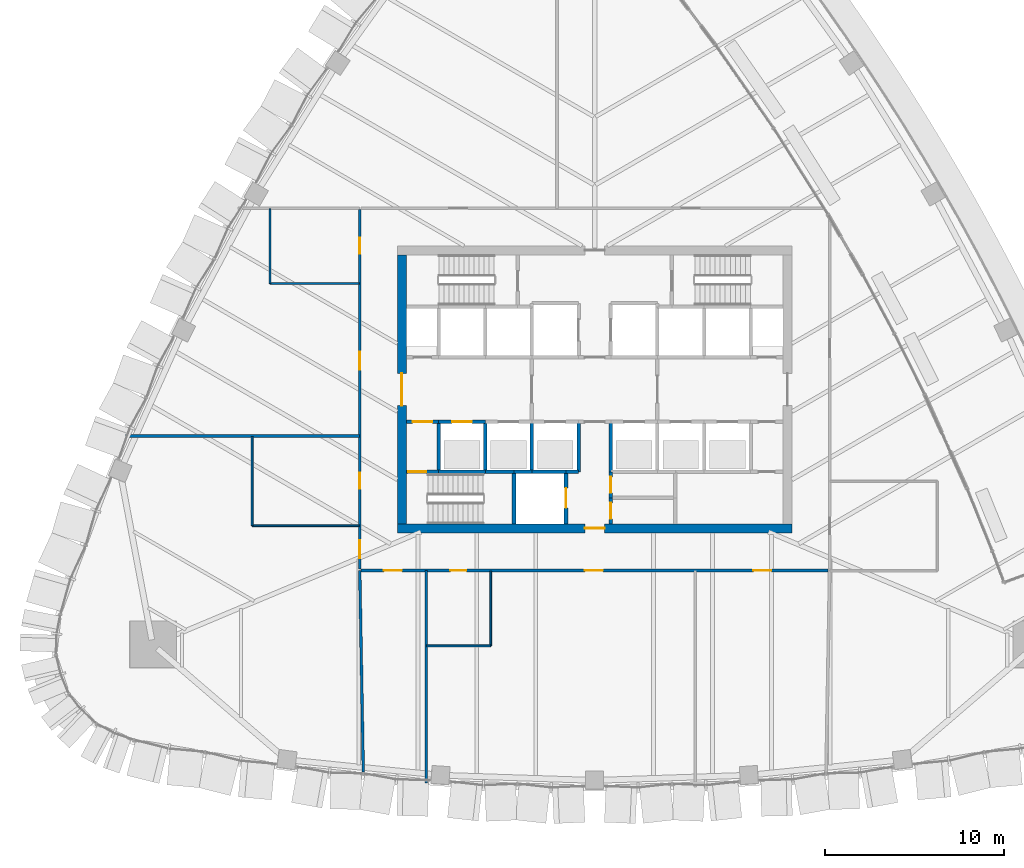
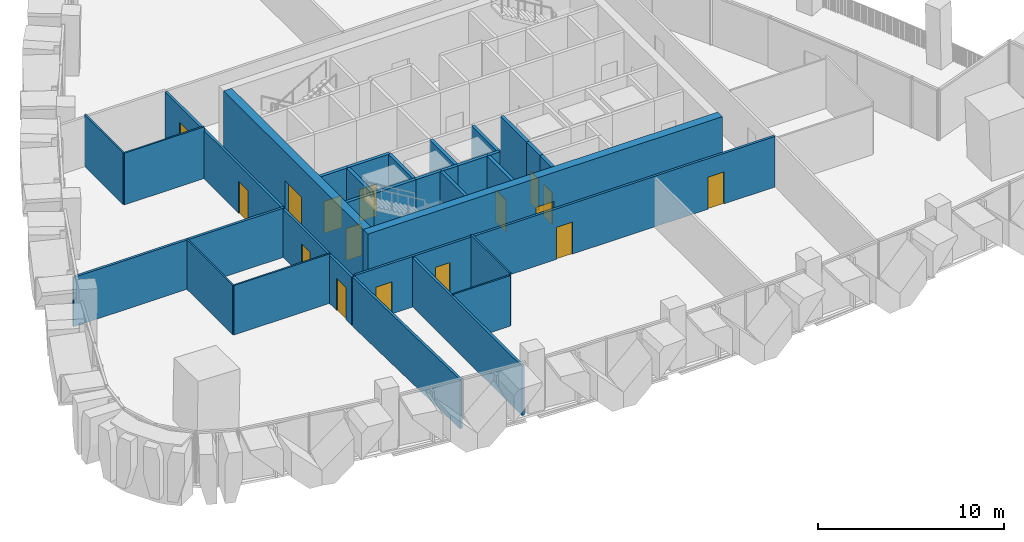
# One storey, part 14 of 22: 30 walls, 16 doors, 16 openings.
"""IFC4 building model written with IfcOpenShell, lengths in metres."""

from ifc_helpers import new_model, si_unit, direction, frame, frame_2d, origin, place, context, subcontext, project, spatial, rectangle, extrude, material, layer, layer_set, type_object, element, fill, save


model = new_model("IFC4")

# Units and contexts
model_context = context("Model", 3, precision=1e-05, world=origin(), true_north=direction((0.0, 1.0)))
body_context = subcontext(model_context, "Body", "Model", "MODEL_VIEW")
ifc_project = project(units=[si_unit("LENGTHUNIT", "METRE"), si_unit("AREAUNIT", "SQUARE_METRE"), si_unit("VOLUMEUNIT", "CUBIC_METRE"), si_unit("PLANEANGLEUNIT", "RADIAN"), si_unit("MASSUNIT", "GRAM", prefix="KILO")], contexts=[model_context])

# Site, building, storey
site_placement = place(None, origin())
site = spatial("IfcSite", under=ifc_project, at=site_placement, CompositionType="ELEMENT")
building_placement = place(site_placement, origin())
building = spatial("IfcBuilding", under=site, at=building_placement, Name="Sierra Prisma Convention Tower", CompositionType="ELEMENT")
storey_placement = place(building_placement, frame((0.0, 0.0, 141.800048828125)))
storey = spatial("IfcBuildingStorey", under=building, at=storey_placement, Name="L30", CompositionType="ELEMENT", Elevation=141.800048828125)

# Walls
ifc_material_1 = material(Name="Gypsum board partition", Category="gypsum")
ifc_layer_1 = layer(ifc_material_1, 0.10009765625)
ifc_layer_set_1 = layer_set([ifc_layer_1], Name="Bathroom partition 100")
wall_type_1 = type_object("IfcWallType", Name="Bathroom partition 100", PredefinedType="PARTITIONING", material=ifc_layer_set_1)
wall_1_placement = place(storey_placement, frame((-13.1298828125, -7.60009765625, 0.0), z_axis=(0.0, 0.0, 1.0), x_axis=(-1.0, 0.0, 0.0)))
element("IfcWall", 1, at=wall_1_placement, inside=storey, type_object=wall_type_1, Name="Partition L30 bath 1", PredefinedType="PARTITIONING", context=body_context, shape_type="SweptSolid", body=[
    extrude(rectangle(XDim=5.97021484375, YDim=0.10009765625, at=frame_2d((2.985107421875, 0.0))), origin(), (0.0, 0.0, 1.0), 3.2470703125),
])
wall_2_placement = place(storey_placement, frame((-19.10009765625, -7.60009765625, 0.0), z_axis=(0.0, 0.0, 1.0), x_axis=(0.0, 1.0, 0.0)))
element("IfcWall", 2, at=wall_2_placement, inside=storey, type_object=wall_type_1, Name="Partition L30 bath 2", PredefinedType="PARTITIONING", context=body_context, shape_type="SweptSolid", body=[
    extrude(rectangle(XDim=4.97021484375, YDim=0.10009765625, at=frame_2d((2.485107421875, 0.0))), origin(), (0.0, 0.0, 1.0), 3.2470703125),
])
wall_3_placement = place(storey_placement, frame((-13.1298828125, 5.89990234375, 0.0), z_axis=(0.0, 0.0, 1.0), x_axis=(-1.0, 0.0, 0.0)))
element("IfcWall", 3, at=wall_3_placement, inside=storey, type_object=wall_type_1, Name="Partition L30 bath 3", PredefinedType="PARTITIONING", context=body_context, shape_type="SweptSolid", body=[
    extrude(rectangle(XDim=4.97021484375, YDim=0.10009765625, at=frame_2d((2.485107421875, 0.0))), origin(), (0.0, 0.0, 1.0), 3.39306640625),
])
wall_4_placement = place(storey_placement, frame((-18.10009765625, 5.89990234375, 0.0), z_axis=(0.0, 0.0, 1.0), x_axis=(0.0, 1.0, 0.0)))
element("IfcWall", 4, at=wall_4_placement, inside=storey, type_object=wall_type_1, Name="Partition L30 bath 4", PredefinedType="PARTITIONING", context=body_context, shape_type="SweptSolid", body=[
    extrude(rectangle(XDim=4.170166015625, YDim=0.10009765625, at=frame_2d((2.0849609375, 0.0))), origin(), (0.0, 0.0, 1.0), 3.39306640625),
])
wall_5_placement = place(storey_placement, frame((-5.800048828125, -10.1298828125, 0.0), z_axis=(0.0, 0.0, 1.0), x_axis=(0.0, -1.0, 0.0)))
element("IfcWall", 5, at=wall_5_placement, inside=storey, type_object=wall_type_1, Name="Partition L30 bath 5", PredefinedType="PARTITIONING", context=body_context, shape_type="SweptSolid", body=[
    extrude(rectangle(XDim=4.170166015625, YDim=0.10009765625, at=frame_2d((2.0849609375, 0.0))), origin(), (0.0, 0.0, 1.0), 3.449951171875),
])
wall_6_placement = place(storey_placement, frame((-5.800048828125, -14.300048828125, 0.0), z_axis=(0.0, 0.0, 1.0), x_axis=(-1.0, 0.0, 0.0)))
element("IfcWall", 6, at=wall_6_placement, inside=storey, type_object=wall_type_1, Name="Partition L30 bath 6", PredefinedType="PARTITIONING", context=body_context, shape_type="SweptSolid", body=[
    extrude(rectangle(XDim=3.570068359375, YDim=0.10009765625, at=frame_2d((1.78515625, 0.0))), origin(), (0.0, 0.0, 1.0), 3.31689453125),
])

# Wall, opening, door
ifc_material_2 = material(Name="Concrete C30/37", Category="concrete")
ifc_layer_2 = layer(ifc_material_2, 0.199951171875)
ifc_layer_set_2 = layer_set([ifc_layer_2], Name="Core wall RC 200 C30/37")
wall_type_2 = type_object("IfcWallType", Name="Core wall RC 200 C30/37", PredefinedType="SOLIDWALL", material=ifc_layer_set_2)
wall_7_placement = place(storey_placement, frame((-10.5, -4.60009765625, 0.0), z_axis=(0.0, 0.0, 1.0), x_axis=(1.0, 0.0, 0.0)))
wall_7 = element("IfcWall", 7, at=wall_7_placement, inside=storey, type_object=wall_type_2, Name="Core wall L30 1", PredefinedType="SOLIDWALL", context=body_context, shape_type="SweptSolid", body=[
    extrude(rectangle(XDim=1.800048828125, YDim=0.199951171875, at=frame_2d((0.89990234375, 0.0))), origin(), (0.0, 0.0, 1.0), 3.849853515625),
])
opening_1_placement = place(wall_7_placement, frame((0.10009765625, 0.0, 0.0)))
opening_1 = element("IfcOpeningElement", 8, at=opening_1_placement, cuts=wall_7, Name="Opening L30-D020", PredefinedType="OPENING", context=body_context, shape_type="SweptSolid", body=[
    extrude(rectangle(XDim=1.0, YDim=2.10009765625, at=frame_2d((0.5, 1.050048828125))), frame((0.0, 0.10009765625, 0.0), z_axis=(0.0, -1.0, 0.0), x_axis=(1.0, 0.0, 0.0)), (0.0, 0.0, 1.0), 0.199951171875),
])
ifc_material_3 = material(Name="Steel fire door leaf", Category="steel")
door_type_1 = type_object("IfcDoorType", Name="Door 1000x2100 FD90S", OperationType="SINGLE_SWING_LEFT", PredefinedType="DOOR", material=ifc_material_3)
door_1_placement = place(opening_1_placement, origin())
door_1 = element("IfcDoor", 9, at=door_1_placement, inside=storey, type_object=door_type_1, Name="Door L30 29", OperationType="SINGLE_SWING_LEFT", OverallHeight=2.10009765625, OverallWidth=1.0, PredefinedType="DOOR", context=body_context, shape_type="SweptSolid", body=[
    extrude(rectangle(XDim=1.0, YDim=2.10009765625, at=frame_2d((0.5, 1.050048828125))), frame((0.0, 0.02490234375, 0.0), z_axis=(0.0, -1.0, 0.0), x_axis=(1.0, 0.0, 0.0)), (0.0, 0.0, 1.0), 0.050048828125),
])
fill(opening_1, door_1)

wall_8_placement = place(storey_placement, frame((-10.5, -1.800048828125, 0.0), z_axis=(0.0, 0.0, 1.0), x_axis=(1.0, 0.0, 0.0)))
wall_8 = element("IfcWall", 10, at=wall_8_placement, inside=storey, type_object=wall_type_2, Name="Core wall L30 2", PredefinedType="SOLIDWALL", context=body_context, shape_type="SweptSolid", body=[
    extrude(rectangle(XDim=1.800048828125, YDim=0.199951171875, at=frame_2d((0.89990234375, 0.0))), origin(), (0.0, 0.0, 1.0), 3.849853515625),
])
opening_2_placement = place(wall_8_placement, frame((0.35009765625, 0.0, 0.0)))
opening_2 = element("IfcOpeningElement", 11, at=opening_2_placement, cuts=wall_8, Name="Opening L30-D015", PredefinedType="OPENING", context=body_context, shape_type="SweptSolid", body=[
    extrude(rectangle(XDim=1.10009765625, YDim=2.10009765625, at=frame_2d((0.550048828125, 1.050048828125))), frame((0.0, 0.10009765625, 0.0), z_axis=(0.0, -1.0, 0.0), x_axis=(1.0, 0.0, 0.0)), (0.0, 0.0, 1.0), 0.199951171875),
])
ifc_material_4 = material(Name="Steel fire door leaf", Category="steel")
door_type_2 = type_object("IfcDoorType", Name="Door 1100x2100 FD90S", OperationType="SINGLE_SWING_LEFT", PredefinedType="DOOR", material=ifc_material_4)
door_2_placement = place(opening_2_placement, origin())
door_2 = element("IfcDoor", 12, at=door_2_placement, inside=storey, type_object=door_type_2, Name="Door L30 24", OperationType="SINGLE_SWING_LEFT", OverallHeight=2.10009765625, OverallWidth=1.10009765625, PredefinedType="DOOR", context=body_context, shape_type="SweptSolid", body=[
    extrude(rectangle(XDim=1.10009765625, YDim=2.10009765625, at=frame_2d((0.550048828125, 1.050048828125))), frame((0.0, 0.02490234375, 0.0), z_axis=(0.0, -1.0, 0.0), x_axis=(1.0, 0.0, 0.0)), (0.0, 0.0, 1.0), 0.050048828125),
])
fill(opening_2, door_2)

# Walls
wall_9_placement = place(storey_placement, frame((-8.699951171875, -4.60009765625, 0.0), z_axis=(0.0, 0.0, 1.0), x_axis=(1.0, 0.0, 0.0)))
element("IfcWall", 13, at=wall_9_placement, inside=storey, type_object=wall_type_2, Name="Core wall L30 5", PredefinedType="SOLIDWALL", context=body_context, shape_type="SweptSolid", body=[
    extrude(rectangle(XDim=2.599853515625, YDim=0.199951171875, at=frame_2d((1.2998046875, 0.0))), origin(), (0.0, 0.0, 1.0), 3.849853515625),
])
wall_10_placement = place(storey_placement, frame((-8.699951171875, -4.60009765625, 0.0), z_axis=(0.0, 0.0, 1.0), x_axis=(0.0, 1.0, 0.0)))
element("IfcWall", 14, at=wall_10_placement, inside=storey, type_object=wall_type_2, Name="Core wall L30 6", PredefinedType="SOLIDWALL", context=body_context, shape_type="SweptSolid", body=[
    extrude(rectangle(XDim=2.800048828125, YDim=0.199951171875, at=frame_2d((1.39990234375, 0.0))), origin(), (0.0, 0.0, 1.0), 3.849853515625),
])

# Wall, opening, door
wall_11_placement = place(storey_placement, frame((-8.699951171875, -1.800048828125, 0.0), z_axis=(0.0, 0.0, 1.0), x_axis=(1.0, 0.0, 0.0)))
wall_11 = element("IfcWall", 15, at=wall_11_placement, inside=storey, type_object=wall_type_2, Name="Core wall L30 7", PredefinedType="SOLIDWALL", context=body_context, shape_type="SweptSolid", body=[
    extrude(rectangle(XDim=2.599853515625, YDim=0.199951171875, at=frame_2d((1.2998046875, 0.0))), origin(), (0.0, 0.0, 1.0), 3.849853515625),
])
opening_3_placement = place(wall_11_placement, frame((0.75, 0.0, 0.0)))
opening_3 = element("IfcOpeningElement", 16, at=opening_3_placement, cuts=wall_11, Name="Opening L30-D004", PredefinedType="OPENING", context=body_context, shape_type="SweptSolid", body=[
    extrude(rectangle(XDim=1.10009765625, YDim=2.10009765625, at=frame_2d((0.550048828125, 1.050048828125))), frame((0.0, 0.10009765625, 0.0), z_axis=(0.0, -1.0, 0.0), x_axis=(1.0, 0.0, 0.0)), (0.0, 0.0, 1.0), 0.199951171875),
])
ifc_material_5 = material(Name="Steel fire door leaf", Category="steel")
door_type_3 = type_object("IfcDoorType", Name="Door 1100x2100 EI 90 sliding lift landing", OperationType="SLIDING_TO_LEFT", PredefinedType="DOOR", material=ifc_material_5)
door_3_placement = place(opening_3_placement, origin())
door_3 = element("IfcDoor", 17, at=door_3_placement, inside=storey, type_object=door_type_3, Name="Door L30 13", OperationType="SLIDING_TO_RIGHT", OverallHeight=2.10009765625, OverallWidth=1.10009765625, PredefinedType="DOOR", context=body_context, shape_type="SweptSolid", body=[
    extrude(rectangle(XDim=1.10009765625, YDim=2.10009765625, at=frame_2d((0.550048828125, 1.050048828125))), frame((0.0, 0.02490234375, 0.0), z_axis=(0.0, -1.0, 0.0), x_axis=(1.0, 0.0, 0.0)), (0.0, 0.0, 1.0), 0.050048828125),
])
fill(opening_3, door_3)

# Walls
wall_12_placement = place(storey_placement, frame((-6.10009765625, -4.60009765625, 0.0), z_axis=(0.0, 0.0, 1.0), x_axis=(1.0, 0.0, 0.0)))
element("IfcWall", 18, at=wall_12_placement, inside=storey, type_object=wall_type_2, Name="Core wall L30 11", PredefinedType="SOLIDWALL", context=body_context, shape_type="SweptSolid", body=[
    extrude(rectangle(XDim=1.60009765625, YDim=0.199951171875, at=frame_2d((0.800048828125, 0.0))), origin(), (0.0, 0.0, 1.0), 3.849853515625),
])
wall_13_placement = place(storey_placement, frame((-6.10009765625, -4.60009765625, 0.0), z_axis=(0.0, 0.0, 1.0), x_axis=(0.0, 1.0, 0.0)))
element("IfcWall", 19, at=wall_13_placement, inside=storey, type_object=wall_type_2, Name="Core wall L30 12", PredefinedType="SOLIDWALL", context=body_context, shape_type="SweptSolid", body=[
    extrude(rectangle(XDim=2.800048828125, YDim=0.199951171875, at=frame_2d((1.39990234375, 0.0))), origin(), (0.0, 0.0, 1.0), 3.849853515625),
])
wall_14_placement = place(storey_placement, frame((-4.5, -4.60009765625, 0.0), z_axis=(0.0, 0.0, 1.0), x_axis=(0.0, -1.0, 0.0)))
element("IfcWall", 20, at=wall_14_placement, inside=storey, type_object=wall_type_2, Name="Core wall L30 17", PredefinedType="SOLIDWALL", context=body_context, shape_type="SweptSolid", body=[
    extrude(rectangle(XDim=2.89990234375, YDim=0.199951171875, at=frame_2d((1.449951171875, 0.0))), origin(), (0.0, 0.0, 1.0), 3.849853515625),
])
wall_15_placement = place(storey_placement, frame((-4.5, -4.60009765625, 0.0), z_axis=(0.0, 0.0, 1.0), x_axis=(1.0, 0.0, 0.0)))
element("IfcWall", 21, at=wall_15_placement, inside=storey, type_object=wall_type_2, Name="Core wall L30 18", PredefinedType="SOLIDWALL", context=body_context, shape_type="SweptSolid", body=[
    extrude(rectangle(XDim=1.0, YDim=0.199951171875, at=frame_2d((0.5, 0.0))), origin(), (0.0, 0.0, 1.0), 3.849853515625),
])
wall_16_placement = place(storey_placement, frame((-3.5, -4.60009765625, 0.0), z_axis=(0.0, 0.0, 1.0), x_axis=(1.0, 0.0, 0.0)))
element("IfcWall", 22, at=wall_16_placement, inside=storey, type_object=wall_type_2, Name="Core wall L30 21", PredefinedType="SOLIDWALL", context=body_context, shape_type="SweptSolid", body=[
    extrude(rectangle(XDim=1.89990234375, YDim=0.199951171875, at=frame_2d((0.949951171875, 0.0))), origin(), (0.0, 0.0, 1.0), 3.849853515625),
])
wall_17_placement = place(storey_placement, frame((-3.5, -4.60009765625, 0.0), z_axis=(0.0, 0.0, 1.0), x_axis=(0.0, 1.0, 0.0)))
element("IfcWall", 23, at=wall_17_placement, inside=storey, type_object=wall_type_2, Name="Core wall L30 22", PredefinedType="SOLIDWALL", context=body_context, shape_type="SweptSolid", body=[
    extrude(rectangle(XDim=2.800048828125, YDim=0.199951171875, at=frame_2d((1.39990234375, 0.0))), origin(), (0.0, 0.0, 1.0), 3.849853515625),
])

# Wall, opening, door
wall_18_placement = place(storey_placement, frame((-1.60009765625, -7.5, 0.0), z_axis=(0.0, 0.0, 1.0), x_axis=(0.0, 1.0, 0.0)))
wall_18 = element("IfcWall", 24, at=wall_18_placement, inside=storey, type_object=wall_type_2, Name="Core wall L30 30", PredefinedType="SOLIDWALL", context=body_context, shape_type="SweptSolid", body=[
    extrude(rectangle(XDim=2.89990234375, YDim=0.199951171875, at=frame_2d((1.449951171875, 0.0))), origin(), (0.0, 0.0, 1.0), 3.849853515625),
])
opening_4_placement = place(wall_18_placement, frame((0.89990234375, 0.0, 0.0)))
opening_4 = element("IfcOpeningElement", 25, at=opening_4_placement, cuts=wall_18, Name="Opening L30-D012", PredefinedType="OPENING", context=body_context, shape_type="SweptSolid", body=[
    extrude(rectangle(XDim=1.10009765625, YDim=2.10009765625, at=frame_2d((0.550048828125, 1.050048828125))), frame((0.0, 0.10009765625, 0.0), z_axis=(0.0, -1.0, 0.0), x_axis=(1.0, 0.0, 0.0)), (0.0, 0.0, 1.0), 0.199951171875),
])
door_4_placement = place(opening_4_placement, origin())
door_4 = element("IfcDoor", 26, at=door_4_placement, inside=storey, type_object=door_type_3, Name="Door L30 21", OperationType="SLIDING_TO_RIGHT", OverallHeight=2.10009765625, OverallWidth=1.10009765625, PredefinedType="DOOR", context=body_context, shape_type="SweptSolid", body=[
    extrude(rectangle(XDim=1.10009765625, YDim=2.10009765625, at=frame_2d((0.550048828125, 1.050048828125))), frame((0.0, 0.02490234375, 0.0), z_axis=(0.0, -1.0, 0.0), x_axis=(1.0, 0.0, 0.0)), (0.0, 0.0, 1.0), 0.050048828125),
])
fill(opening_4, door_4)

# Walls
wall_19_placement = place(storey_placement, frame((-1.60009765625, -4.60009765625, 0.0), z_axis=(0.0, 0.0, 1.0), x_axis=(1.0, 0.0, 0.0)))
element("IfcWall", 27, at=wall_19_placement, inside=storey, type_object=wall_type_2, Name="Core wall L30 31", PredefinedType="SOLIDWALL", context=body_context, shape_type="SweptSolid", body=[
    extrude(rectangle(XDim=0.7001953125, YDim=0.199951171875, at=frame_2d((0.35009765625, 0.0))), origin(), (0.0, 0.0, 1.0), 3.849853515625),
])
wall_20_placement = place(storey_placement, frame((-0.89990234375, -4.60009765625, 0.0), z_axis=(0.0, 0.0, 1.0), x_axis=(0.0, 1.0, 0.0)))
element("IfcWall", 28, at=wall_20_placement, inside=storey, type_object=wall_type_2, Name="Core wall L30 32", PredefinedType="SOLIDWALL", context=body_context, shape_type="SweptSolid", body=[
    extrude(rectangle(XDim=2.800048828125, YDim=0.199951171875, at=frame_2d((1.39990234375, 0.0))), origin(), (0.0, 0.0, 1.0), 3.849853515625),
])

# Wall, opening, door
wall_21_placement = place(storey_placement, frame((0.89990234375, -6.050048828125, 0.0), z_axis=(0.0, 0.0, 1.0), x_axis=(0.0, -1.0, 0.0)))
wall_21 = element("IfcWall", 29, at=wall_21_placement, inside=storey, type_object=wall_type_2, Name="Core wall L30 35", PredefinedType="SOLIDWALL", context=body_context, shape_type="SweptSolid", body=[
    extrude(rectangle(XDim=1.449951171875, YDim=0.199951171875, at=frame_2d((0.72509765625, 0.0))), origin(), (0.0, 0.0, 1.0), 3.849853515625),
])
opening_5_placement = place(wall_21_placement, frame((0.27490234375, 0.0, 0.0)))
opening_5 = element("IfcOpeningElement", 30, at=opening_5_placement, cuts=wall_21, Name="Opening L30-D025", PredefinedType="OPENING", context=body_context, shape_type="SweptSolid", body=[
    extrude(rectangle(XDim=0.89990234375, YDim=2.10009765625, at=frame_2d((0.449951171875, 1.050048828125))), frame((0.0, 0.10009765625, 0.0), z_axis=(0.0, -1.0, 0.0), x_axis=(1.0, 0.0, 0.0)), (0.0, 0.0, 1.0), 0.199951171875),
])
ifc_material_6 = material(Name="Steel fire door leaf", Category="steel")
door_type_4 = type_object("IfcDoorType", Name="Door 900x2100 FD30S", OperationType="SINGLE_SWING_LEFT", PredefinedType="DOOR", material=ifc_material_6)
door_5_placement = place(opening_5_placement, origin())
door_5 = element("IfcDoor", 31, at=door_5_placement, inside=storey, type_object=door_type_4, Name="Door L30 34", OperationType="SINGLE_SWING_RIGHT", OverallHeight=2.10009765625, OverallWidth=0.89990234375, PredefinedType="DOOR", context=body_context, shape_type="SweptSolid", body=[
    extrude(rectangle(XDim=0.89990234375, YDim=2.10009765625, at=frame_2d((0.449951171875, 1.050048828125))), frame((0.0, 0.02490234375, 0.0), z_axis=(0.0, -1.0, 0.0), x_axis=(1.0, 0.0, 0.0)), (0.0, 0.0, 1.0), 0.050048828125),
])
fill(opening_5, door_5)

wall_22_placement = place(storey_placement, frame((0.89990234375, -4.60009765625, 0.0), z_axis=(0.0, 0.0, 1.0), x_axis=(0.0, -1.0, 0.0)))
wall_22 = element("IfcWall", 32, at=wall_22_placement, inside=storey, type_object=wall_type_2, Name="Core wall L30 37", PredefinedType="SOLIDWALL", context=body_context, shape_type="SweptSolid", body=[
    extrude(rectangle(XDim=1.449951171875, YDim=0.199951171875, at=frame_2d((0.72509765625, 0.0))), origin(), (0.0, 0.0, 1.0), 3.849853515625),
])
opening_6_placement = place(wall_22_placement, frame((0.27490234375, 0.0, 0.0)))
opening_6 = element("IfcOpeningElement", 33, at=opening_6_placement, cuts=wall_22, Name="Opening L30-D026", PredefinedType="OPENING", context=body_context, shape_type="SweptSolid", body=[
    extrude(rectangle(XDim=0.89990234375, YDim=2.10009765625, at=frame_2d((0.449951171875, 1.050048828125))), frame((0.0, 0.10009765625, 0.0), z_axis=(0.0, -1.0, 0.0), x_axis=(1.0, 0.0, 0.0)), (0.0, 0.0, 1.0), 0.199951171875),
])
door_6_placement = place(opening_6_placement, origin())
door_6 = element("IfcDoor", 34, at=door_6_placement, inside=storey, type_object=door_type_4, Name="Door L30 35", OperationType="SINGLE_SWING_RIGHT", OverallHeight=2.10009765625, OverallWidth=0.89990234375, PredefinedType="DOOR", context=body_context, shape_type="SweptSolid", body=[
    extrude(rectangle(XDim=0.89990234375, YDim=2.10009765625, at=frame_2d((0.449951171875, 1.050048828125))), frame((0.0, 0.02490234375, 0.0), z_axis=(0.0, -1.0, 0.0), x_axis=(1.0, 0.0, 0.0)), (0.0, 0.0, 1.0), 0.050048828125),
])
fill(opening_6, door_6)

# Wall
wall_23_placement = place(storey_placement, frame((0.89990234375, -1.800048828125, 0.0), z_axis=(0.0, 0.0, 1.0), x_axis=(0.0, -1.0, 0.0)))
element("IfcWall", 35, at=wall_23_placement, inside=storey, type_object=wall_type_2, Name="Core wall L30 39", PredefinedType="SOLIDWALL", context=body_context, shape_type="SweptSolid", body=[
    extrude(rectangle(XDim=2.800048828125, YDim=0.199951171875, at=frame_2d((1.39990234375, 0.0))), origin(), (0.0, 0.0, 1.0), 3.849853515625),
])

# Wall, opening, door
ifc_material_7 = material(Name="Concrete C60/75", Category="concrete")
ifc_layer_3 = layer(ifc_material_7, 0.5)
ifc_layer_set_3 = layer_set([ifc_layer_3], Name="Core wall RC 500 C60/75")
wall_type_3 = type_object("IfcWallType", Name="Core wall RC 500 C60/75", PredefinedType="SHEAR", material=ifc_layer_set_3)
wall_24_placement = place(storey_placement, frame((-11.0, -7.75, 0.0), z_axis=(0.0, 0.0, 1.0), x_axis=(1.0, 0.0, 0.0)))
wall_24 = element("IfcWall", 36, at=wall_24_placement, inside=storey, type_object=wall_type_3, Name="Core wall S L30", PredefinedType="SHEAR", context=body_context, shape_type="SweptSolid", body=[
    extrude(rectangle(XDim=22.0, YDim=0.5, at=frame_2d((11.0, 0.0))), origin(), (0.0, 0.0, 1.0), 4.0),
])
opening_7_placement = place(wall_24_placement, frame((10.449951171875, 0.0, 0.0)))
opening_7 = element("IfcOpeningElement", 37, at=opening_7_placement, cuts=wall_24, Name="Opening L30-D041", PredefinedType="OPENING", context=body_context, shape_type="SweptSolid", body=[
    extrude(rectangle(XDim=1.10009765625, YDim=2.10009765625, at=frame_2d((0.550048828125, 1.050048828125))), frame((0.0, 0.25, 0.0), z_axis=(0.0, -1.0, 0.0), x_axis=(1.0, 0.0, 0.0)), (0.0, 0.0, 1.0), 0.5),
])
ifc_material_8 = material(Name="Steel fire door leaf", Category="steel")
door_type_5 = type_object("IfcDoorType", Name="Door 1100x2100 FD30S", OperationType="SINGLE_SWING_LEFT", PredefinedType="DOOR", material=ifc_material_8)
door_7_placement = place(opening_7_placement, origin())
door_7 = element("IfcDoor", 38, at=door_7_placement, inside=storey, type_object=door_type_5, Name="Door L30 39", OperationType="SINGLE_SWING_RIGHT", OverallHeight=2.10009765625, OverallWidth=1.10009765625, PredefinedType="DOOR", context=body_context, shape_type="SweptSolid", body=[
    extrude(rectangle(XDim=1.10009765625, YDim=2.10009765625, at=frame_2d((0.550048828125, 1.050048828125))), frame((0.0, 0.02490234375, 0.0), z_axis=(0.0, -1.0, 0.0), x_axis=(1.0, 0.0, 0.0)), (0.0, 0.0, 1.0), 0.050048828125),
])
fill(opening_7, door_7)

wall_25_placement = place(storey_placement, frame((-10.75, -7.5, 0.0), z_axis=(0.0, 0.0, 1.0), x_axis=(0.0, 1.0, 0.0)))
wall_25 = element("IfcWall", 39, at=wall_25_placement, inside=storey, type_object=wall_type_3, Name="Core wall W L30", PredefinedType="SHEAR", context=body_context, shape_type="SweptSolid", body=[
    extrude(rectangle(XDim=15.0, YDim=0.5, at=frame_2d((7.5, 0.0))), origin(), (0.0, 0.0, 1.0), 4.0),
])
opening_8_placement = place(wall_25_placement, frame((6.60009765625, 0.0, 0.0)))
opening_8 = element("IfcOpeningElement", 40, at=opening_8_placement, cuts=wall_25, Name="Opening L30-D042", PredefinedType="OPENING", context=body_context, shape_type="SweptSolid", body=[
    extrude(rectangle(XDim=1.800048828125, YDim=2.10009765625, at=frame_2d((0.89990234375, 1.050048828125))), frame((0.0, 0.25, 0.0), z_axis=(0.0, -1.0, 0.0), x_axis=(1.0, 0.0, 0.0)), (0.0, 0.0, 1.0), 0.5),
])
ifc_material_9 = material(Name="Steel fire door leaf", Category="steel")
door_type_6 = type_object("IfcDoorType", Name="Door 1800x2100 FD60S", OperationType="DOUBLE_DOOR_SINGLE_SWING", PredefinedType="DOOR", material=ifc_material_9)
door_8_placement = place(opening_8_placement, origin())
door_8 = element("IfcDoor", 41, at=door_8_placement, inside=storey, type_object=door_type_6, Name="Door L30 36", OperationType="DOUBLE_DOOR_SINGLE_SWING", OverallHeight=2.10009765625, OverallWidth=1.800048828125, PredefinedType="DOOR", context=body_context, shape_type="SweptSolid", body=[
    extrude(rectangle(XDim=1.800048828125, YDim=2.10009765625, at=frame_2d((0.89990234375, 1.050048828125))), frame((0.0, 0.02490234375, 0.0), z_axis=(0.0, -1.0, 0.0), x_axis=(1.0, 0.0, 0.0)), (0.0, 0.0, 1.0), 0.050048828125),
])
fill(opening_8, door_8)

# Wall, openings, doors
ifc_material_10 = material(Name="Gypsum board partition", Category="gypsum")
ifc_layer_4 = layer(ifc_material_10, 0.14990234375)
ifc_layer_set_4 = layer_set([ifc_layer_4], Name="Corridor wall 150 gypsum EI 60")
wall_type_4 = type_object("IfcWallType", Name="Corridor wall 150 gypsum EI 60", PredefinedType="PARTITIONING", material=ifc_layer_set_4)
wall_26_placement = place(storey_placement, frame((-13.10009765625, 10.02001953125, 0.0), z_axis=(0.0, 0.0, 1.0), x_axis=(0.0, -1.0, 0.0)))
wall_26 = element("IfcWall", 42, at=wall_26_placement, inside=storey, type_object=wall_type_4, Name="Partition L30 corr 1", PredefinedType="PARTITIONING", context=body_context, shape_type="SweptSolid", body=[
    extrude(rectangle(XDim=20.0400390625, YDim=0.14990234375, at=frame_2d((10.02001953125, 0.0))), origin(), (0.0, 0.0, 1.0), 3.166015625),
])
opening_9_placement = place(wall_26_placement, frame((1.570068359375, 0.0, 0.0)))
opening_9 = element("IfcOpeningElement", 43, at=opening_9_placement, cuts=wall_26, Name="Opening L30-D029", PredefinedType="OPENING", context=body_context, shape_type="SweptSolid", body=[
    extrude(rectangle(XDim=0.89990234375, YDim=2.10009765625, at=frame_2d((0.449951171875, 1.050048828125))), frame((0.0, 0.074951171875, 0.0), z_axis=(0.0, -1.0, 0.0), x_axis=(1.0, 0.0, 0.0)), (0.0, 0.0, 1.0), 0.14990234375),
])
opening_10_placement = place(wall_26_placement, frame((7.919921875, 0.0, 0.0)))
opening_10 = element("IfcOpeningElement", 44, at=opening_10_placement, cuts=wall_26, Name="Opening L30-D030", PredefinedType="OPENING", context=body_context, shape_type="SweptSolid", body=[
    extrude(rectangle(XDim=1.0, YDim=2.10009765625, at=frame_2d((0.5, 1.050048828125))), frame((0.0, 0.074951171875, 0.0), z_axis=(0.0, -1.0, 0.0), x_axis=(1.0, 0.0, 0.0)), (0.0, 0.0, 1.0), 0.14990234375),
])
opening_11_placement = place(wall_26_placement, frame((14.669921875, 0.0, 0.0)))
opening_11 = element("IfcOpeningElement", 45, at=opening_11_placement, cuts=wall_26, Name="Opening L30-D031", PredefinedType="OPENING", context=body_context, shape_type="SweptSolid", body=[
    extrude(rectangle(XDim=0.89990234375, YDim=2.10009765625, at=frame_2d((0.449951171875, 1.050048828125))), frame((0.0, 0.074951171875, 0.0), z_axis=(0.0, -1.0, 0.0), x_axis=(1.0, 0.0, 0.0)), (0.0, 0.0, 1.0), 0.14990234375),
])
opening_12_placement = place(wall_26_placement, frame((18.429931640625, 0.0, 0.0)))
opening_12 = element("IfcOpeningElement", 46, at=opening_12_placement, cuts=wall_26, Name="Opening L30-D032", PredefinedType="OPENING", context=body_context, shape_type="SweptSolid", body=[
    extrude(rectangle(XDim=1.0, YDim=2.10009765625, at=frame_2d((0.5, 1.050048828125))), frame((0.0, 0.074951171875, 0.0), z_axis=(0.0, -1.0, 0.0), x_axis=(1.0, 0.0, 0.0)), (0.0, 0.0, 1.0), 0.14990234375),
])
ifc_material_11 = material(Name="Steel fire door leaf", Category="steel")
door_type_7 = type_object("IfcDoorType", Name="Door 1000x2100 FD30S", OperationType="SINGLE_SWING_LEFT", PredefinedType="DOOR", material=ifc_material_11)
door_9_placement = place(opening_10_placement, origin())
door_9 = element("IfcDoor", 47, at=door_9_placement, inside=storey, type_object=door_type_7, Name="Door L30 4", OperationType="SINGLE_SWING_LEFT", OverallHeight=2.10009765625, OverallWidth=1.0, PredefinedType="DOOR", context=body_context, shape_type="SweptSolid", body=[
    extrude(rectangle(XDim=1.0, YDim=2.10009765625, at=frame_2d((0.5, 1.050048828125))), frame((0.0, 0.02490234375, 0.0), z_axis=(0.0, -1.0, 0.0), x_axis=(1.0, 0.0, 0.0)), (0.0, 0.0, 1.0), 0.050048828125),
])
fill(opening_10, door_9)
door_10_placement = place(opening_12_placement, origin())
door_10 = element("IfcDoor", 48, at=door_10_placement, inside=storey, type_object=door_type_7, Name="Door L30 6", OperationType="SINGLE_SWING_RIGHT", OverallHeight=2.10009765625, OverallWidth=1.0, PredefinedType="DOOR", context=body_context, shape_type="SweptSolid", body=[
    extrude(rectangle(XDim=1.0, YDim=2.10009765625, at=frame_2d((0.5, 1.050048828125))), frame((0.0, 0.02490234375, 0.0), z_axis=(0.0, -1.0, 0.0), x_axis=(1.0, 0.0, 0.0)), (0.0, 0.0, 1.0), 0.050048828125),
])
fill(opening_12, door_10)
door_11_placement = place(opening_9_placement, origin())
door_11 = element("IfcDoor", 49, at=door_11_placement, inside=storey, type_object=door_type_4, Name="Door L30 3", OperationType="SINGLE_SWING_RIGHT", OverallHeight=2.10009765625, OverallWidth=0.89990234375, PredefinedType="DOOR", context=body_context, shape_type="SweptSolid", body=[
    extrude(rectangle(XDim=0.89990234375, YDim=2.10009765625, at=frame_2d((0.449951171875, 1.050048828125))), frame((0.0, 0.02490234375, 0.0), z_axis=(0.0, -1.0, 0.0), x_axis=(1.0, 0.0, 0.0)), (0.0, 0.0, 1.0), 0.050048828125),
])
fill(opening_9, door_11)
door_12_placement = place(opening_11_placement, origin())
door_12 = element("IfcDoor", 50, at=door_12_placement, inside=storey, type_object=door_type_4, Name="Door L30 5", OperationType="SINGLE_SWING_RIGHT", OverallHeight=2.10009765625, OverallWidth=0.89990234375, PredefinedType="DOOR", context=body_context, shape_type="SweptSolid", body=[
    extrude(rectangle(XDim=0.89990234375, YDim=2.10009765625, at=frame_2d((0.449951171875, 1.050048828125))), frame((0.0, 0.02490234375, 0.0), z_axis=(0.0, -1.0, 0.0), x_axis=(1.0, 0.0, 0.0)), (0.0, 0.0, 1.0), 0.050048828125),
])
fill(opening_11, door_12)

wall_27_placement = place(storey_placement, frame((-13.02001953125, -10.10009765625, 0.0), z_axis=(0.0, 0.0, 1.0), x_axis=(1.0, 0.0, 0.0)))
wall_27 = element("IfcWall", 51, at=wall_27_placement, inside=storey, type_object=wall_type_4, Name="Partition L30 corr 2", PredefinedType="PARTITIONING", context=body_context, shape_type="SweptSolid", body=[
    extrude(rectangle(XDim=26.0400390625, YDim=0.14990234375, at=frame_2d((13.02001953125, 0.0))), origin(), (0.0, 0.0, 1.0), 3.31689453125),
])
opening_13_placement = place(wall_27_placement, frame((1.27001953125, 0.0, 0.0)))
opening_13 = element("IfcOpeningElement", 52, at=opening_13_placement, cuts=wall_27, Name="Opening L30-D033", PredefinedType="OPENING", context=body_context, shape_type="SweptSolid", body=[
    extrude(rectangle(XDim=1.0, YDim=2.10009765625, at=frame_2d((0.5, 1.050048828125))), frame((0.0, 0.074951171875, 0.0), z_axis=(0.0, -1.0, 0.0), x_axis=(1.0, 0.0, 0.0)), (0.0, 0.0, 1.0), 0.14990234375),
])
opening_14_placement = place(wall_27_placement, frame((4.969970703125, 0.0, 0.0)))
opening_14 = element("IfcOpeningElement", 53, at=opening_14_placement, cuts=wall_27, Name="Opening L30-D034", PredefinedType="OPENING", context=body_context, shape_type="SweptSolid", body=[
    extrude(rectangle(XDim=0.89990234375, YDim=2.10009765625, at=frame_2d((0.449951171875, 1.050048828125))), frame((0.0, 0.074951171875, 0.0), z_axis=(0.0, -1.0, 0.0), x_axis=(1.0, 0.0, 0.0)), (0.0, 0.0, 1.0), 0.14990234375),
])
opening_15_placement = place(wall_27_placement, frame((12.469970703125, 0.0, 0.0)))
opening_15 = element("IfcOpeningElement", 54, at=opening_15_placement, cuts=wall_27, Name="Opening L30-D035", PredefinedType="OPENING", context=body_context, shape_type="SweptSolid", body=[
    extrude(rectangle(XDim=1.0, YDim=2.10009765625, at=frame_2d((0.5, 1.050048828125))), frame((0.0, 0.074951171875, 0.0), z_axis=(0.0, -1.0, 0.0), x_axis=(1.0, 0.0, 0.0)), (0.0, 0.0, 1.0), 0.14990234375),
])
opening_16_placement = place(wall_27_placement, frame((21.8701171875, 0.0, 0.0)))
opening_16 = element("IfcOpeningElement", 55, at=opening_16_placement, cuts=wall_27, Name="Opening L30-D036", PredefinedType="OPENING", context=body_context, shape_type="SweptSolid", body=[
    extrude(rectangle(XDim=1.0, YDim=2.10009765625, at=frame_2d((0.5, 1.050048828125))), frame((0.0, 0.074951171875, 0.0), z_axis=(0.0, -1.0, 0.0), x_axis=(1.0, 0.0, 0.0)), (0.0, 0.0, 1.0), 0.14990234375),
])
door_13_placement = place(opening_13_placement, origin())
door_13 = element("IfcDoor", 56, at=door_13_placement, inside=storey, type_object=door_type_7, Name="Door L30 7", OperationType="SINGLE_SWING_RIGHT", OverallHeight=2.10009765625, OverallWidth=1.0, PredefinedType="DOOR", context=body_context, shape_type="SweptSolid", body=[
    extrude(rectangle(XDim=1.0, YDim=2.10009765625, at=frame_2d((0.5, 1.050048828125))), frame((0.0, 0.02490234375, 0.0), z_axis=(0.0, -1.0, 0.0), x_axis=(1.0, 0.0, 0.0)), (0.0, 0.0, 1.0), 0.050048828125),
])
fill(opening_13, door_13)
door_14_placement = place(opening_15_placement, origin())
door_14 = element("IfcDoor", 57, at=door_14_placement, inside=storey, type_object=door_type_7, Name="Door L30 9", OperationType="SINGLE_SWING_LEFT", OverallHeight=2.10009765625, OverallWidth=1.0, PredefinedType="DOOR", context=body_context, shape_type="SweptSolid", body=[
    extrude(rectangle(XDim=1.0, YDim=2.10009765625, at=frame_2d((0.5, 1.050048828125))), frame((0.0, 0.02490234375, 0.0), z_axis=(0.0, -1.0, 0.0), x_axis=(1.0, 0.0, 0.0)), (0.0, 0.0, 1.0), 0.050048828125),
])
fill(opening_15, door_14)
door_15_placement = place(opening_16_placement, origin())
door_15 = element("IfcDoor", 58, at=door_15_placement, inside=storey, type_object=door_type_7, Name="Door L30 10", OperationType="SINGLE_SWING_LEFT", OverallHeight=2.10009765625, OverallWidth=1.0, PredefinedType="DOOR", context=body_context, shape_type="SweptSolid", body=[
    extrude(rectangle(XDim=1.0, YDim=2.10009765625, at=frame_2d((0.5, 1.050048828125))), frame((0.0, 0.02490234375, 0.0), z_axis=(0.0, -1.0, 0.0), x_axis=(1.0, 0.0, 0.0)), (0.0, 0.0, 1.0), 0.050048828125),
])
fill(opening_16, door_15)
door_16_placement = place(opening_14_placement, origin())
door_16 = element("IfcDoor", 59, at=door_16_placement, inside=storey, type_object=door_type_4, Name="Door L30 8", OperationType="SINGLE_SWING_RIGHT", OverallHeight=2.10009765625, OverallWidth=0.89990234375, PredefinedType="DOOR", context=body_context, shape_type="SweptSolid", body=[
    extrude(rectangle(XDim=0.89990234375, YDim=2.10009765625, at=frame_2d((0.449951171875, 1.050048828125))), frame((0.0, 0.02490234375, 0.0), z_axis=(0.0, -1.0, 0.0), x_axis=(1.0, 0.0, 0.0)), (0.0, 0.0, 1.0), 0.050048828125),
])
fill(opening_14, door_16)

# Walls
ifc_material_12 = material(Name="Gypsum board partition", Category="gypsum")
ifc_layer_5 = layer(ifc_material_12, 0.14990234375)
ifc_layer_set_5 = layer_set([ifc_layer_5], Name="Party wall 150 gypsum")
wall_type_5 = type_object("IfcWallType", Name="Party wall 150 gypsum", PredefinedType="PARTITIONING", material=ifc_layer_set_5)
wall_28_placement = place(storey_placement, frame((-13.10009765625, -2.60009765625, 0.0), z_axis=(0.0, 0.0, 1.0), x_axis=(-1.0, 0.0, 0.0)))
element("IfcWall", 60, at=wall_28_placement, inside=storey, type_object=wall_type_5, Name="Partition L30 party 1", PredefinedType="PARTITIONING", context=body_context, shape_type="SweptSolid", body=[
    extrude(rectangle(XDim=13.06982421875, YDim=0.14990234375, at=frame_2d((6.534912109375, 0.0))), origin(), (0.0, 0.0, 1.0), 3.23388671875),
])
wall_29_placement = place(storey_placement, frame((-13.10009765625, -10.10009765625, 0.0), z_axis=(0.0, 0.0, 1.0), x_axis=(0.017647123272, -0.999844277395, 0.0)))
element("IfcWall", 61, at=wall_29_placement, inside=storey, type_object=wall_type_5, Name="Partition L30 party 3", PredefinedType="PARTITIONING", context=body_context, shape_type="SweptSolid", body=[
    extrude(rectangle(XDim=11.233642578125, YDim=0.14990234375, at=frame_2d((5.61669921875, 0.0))), origin(), (0.0, 0.0, 1.0), 3.23388671875),
])
wall_30_placement = place(storey_placement, frame((-9.39990234375, -10.10009765625, 0.0), z_axis=(0.0, 0.0, 1.0), x_axis=(0.0, -1.0, 0.0)))
element("IfcWall", 62, at=wall_30_placement, inside=storey, type_object=wall_type_5, Name="Partition L30 party 4", PredefinedType="PARTITIONING", context=body_context, shape_type="SweptSolid", body=[
    extrude(rectangle(XDim=11.83642578125, YDim=0.14990234375, at=frame_2d((5.918212890625, 0.0))), origin(), (0.0, 0.0, 1.0), 3.23388671875),
])

save(model, "model.ifc")
